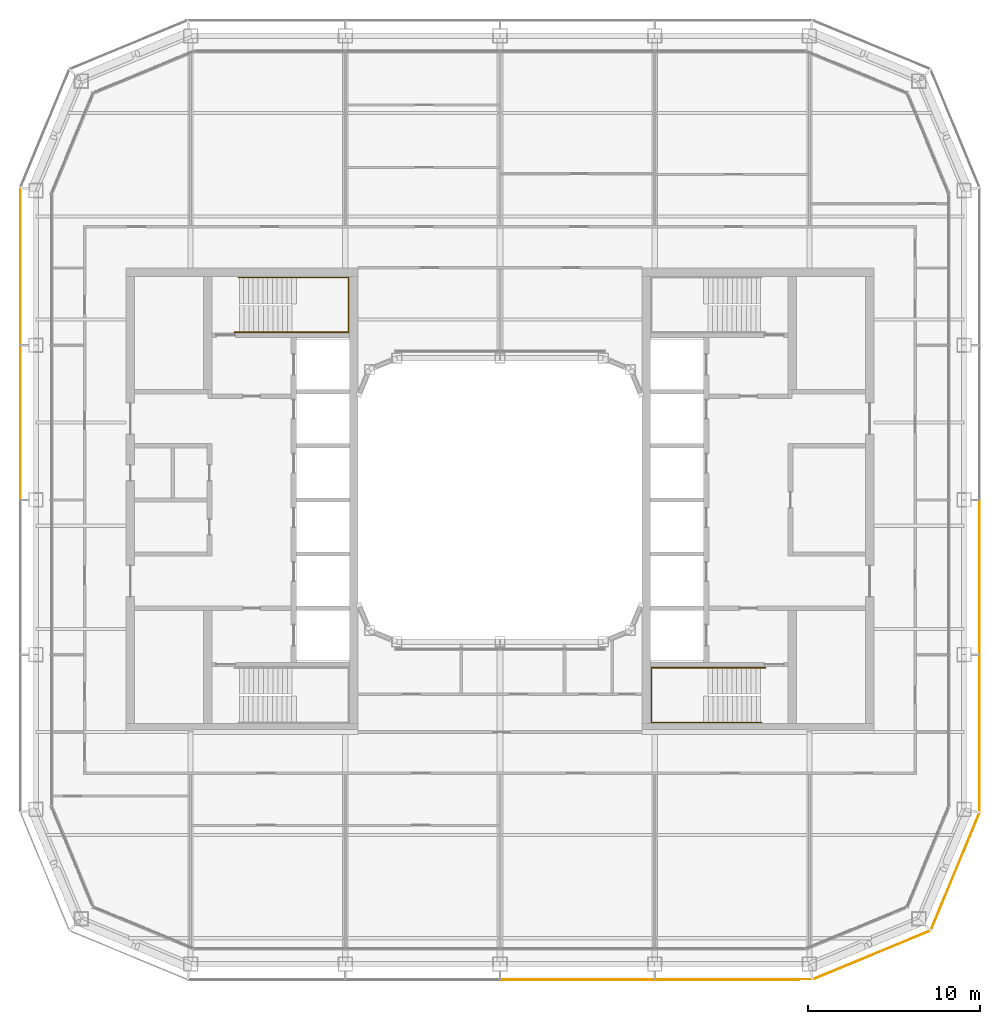
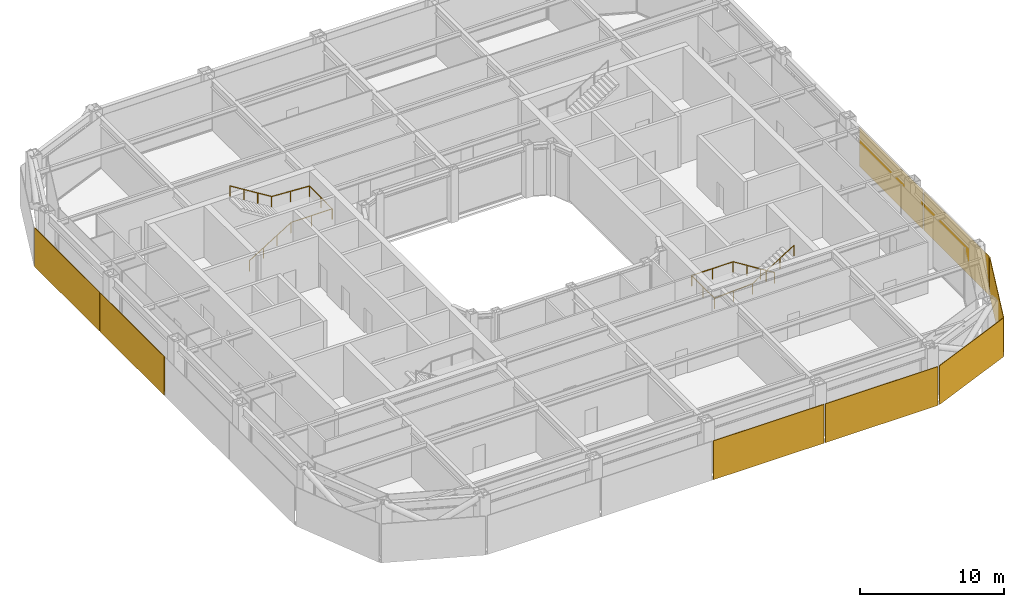
# One storey, part 17 of 19: 8 coverings, 2 railings.
"""IFC4 building model written with IfcOpenShell, lengths in metres."""

from ifc_helpers import new_model, si_unit, direction, frame, origin, origin_2d, place, context, subcontext, project, spatial, rectangle, circle, extrude, material, layer, layer_set, type_object, element, save


model = new_model("IFC4")

# Units and contexts
model_context = context("Model", 3, precision=1e-05, world=origin(), true_north=direction((0.0, 1.0)))
body_context = subcontext(model_context, "Body", "Model", "MODEL_VIEW")
ifc_project = project(units=[si_unit("LENGTHUNIT", "METRE"), si_unit("AREAUNIT", "SQUARE_METRE"), si_unit("VOLUMEUNIT", "CUBIC_METRE"), si_unit("PLANEANGLEUNIT", "RADIAN"), si_unit("MASSUNIT", "GRAM", prefix="KILO")], contexts=[model_context])

# Site, building, storey
site_placement = place(None, origin())
site = spatial("IfcSite", under=ifc_project, at=site_placement, CompositionType="ELEMENT")
building_placement = place(site_placement, origin())
building = spatial("IfcBuilding", under=site, at=building_placement, Name="Siwar Civic Tower", CompositionType="ELEMENT")
storey_placement = place(building_placement, frame((0.0, 0.0, 210.699951171875)))
storey = spatial("IfcBuildingStorey", under=building, at=storey_placement, Name="L45", CompositionType="ELEMENT", Elevation=210.699951171875)

# Railings
ifc_material_1 = material(Name="Stainless steel", Category="steel")
railing_type = type_object("IfcRailingType", Name="CORE-STAIR-HANDRAIL", PredefinedType="HANDRAIL", material=ifc_material_1)
railing_1_placement = place(storey_placement, frame((-15.449951171875, 9.758056640625, 0.173095703125)))
element("IfcRailing", 1, at=railing_1_placement, inside=storey, type_object=railing_type, Name="Stair handrail ST1", PredefinedType="HANDRAIL", context=body_context, shape_type="SweptSolid", body=[
    extrude(circle(Radius=0.02001953125, at=origin_2d()), frame((0.0, 0.0, 0.8798828125), z_axis=(0.847063342986, 0.0, 0.531491950051), x_axis=(0.0, 1.0, 0.0)), (0.0, 0.0, 1.0), 3.90771484375),
    extrude(circle(Radius=0.02001953125, at=origin_2d()), frame((3.31005859375, 0.0, 2.956787109375), z_axis=(1.0, 0.0, 0.0), x_axis=(0.0, 1.0, 0.0)), (0.0, 0.0, 1.0), 3.331787109375),
    extrude(circle(Radius=0.02001953125, at=origin_2d()), frame((6.641845703125, 0.0, 2.956787109375), z_axis=(0.0, 1.0, 0.0), x_axis=(-1.0, 0.0, 0.0)), (0.0, 0.0, 1.0), 3.183837890625),
    extrude(circle(Radius=0.02001953125, at=origin_2d()), frame((6.641845703125, 3.183837890625, 2.956787109375), z_axis=(-0.99837434197, 0.0, 0.056997134106), x_axis=(0.0, -1.0, 0.0)), (0.0, 0.0, 1.0), 3.036865234375),
    extrude(circle(Radius=0.02001953125, at=origin_2d()), frame((3.60986328125, 3.183837890625, 3.1298828125), z_axis=(-0.850606129759, 0.0, 0.525803396734), x_axis=(0.0, -1.0, 0.0)), (0.0, 0.0, 1.0), 3.949951171875),
    extrude(circle(Radius=0.02001953125, at=origin_2d()), origin(), (0.0, 0.0, 1.0), 0.85986328125),
    extrude(circle(Radius=0.02001953125, at=origin_2d()), frame((1.103271484375, 0.0, 0.6923828125)), (0.0, 0.0, 1.0), 0.85986328125),
    extrude(circle(Radius=0.02001953125, at=origin_2d()), frame((2.206787109375, 0.0, 1.384521484375)), (0.0, 0.0, 1.0), 0.85986328125),
    extrude(circle(Radius=0.02001953125, at=origin_2d()), frame((3.31005859375, 0.0, 2.076904296875)), (0.0, 0.0, 1.0), 0.85986328125),
    extrude(circle(Radius=0.02001953125, at=origin_2d()), frame((4.97607421875, 0.0, 2.076904296875)), (0.0, 0.0, 1.0), 0.85986328125),
    extrude(circle(Radius=0.02001953125, at=origin_2d()), frame((6.641845703125, 0.0, 2.076904296875)), (0.0, 0.0, 1.0), 0.85986328125),
    extrude(circle(Radius=0.02001953125, at=origin_2d()), frame((6.641845703125, 1.591796875, 2.076904296875)), (0.0, 0.0, 1.0), 0.85986328125),
    extrude(circle(Radius=0.02001953125, at=origin_2d()), frame((6.641845703125, 3.183837890625, 2.076904296875)), (0.0, 0.0, 1.0), 0.85986328125),
    extrude(circle(Radius=0.02001953125, at=origin_2d()), frame((5.1259765625, 3.183837890625, 2.16357421875)), (0.0, 0.0, 1.0), 0.85986328125),
    extrude(circle(Radius=0.02001953125, at=origin_2d()), frame((3.60986328125, 3.183837890625, 2.25)), (0.0, 0.0, 1.0), 0.85986328125),
    extrude(circle(Radius=0.02001953125, at=origin_2d()), frame((2.489990234375, 3.183837890625, 2.9423828125)), (0.0, 0.0, 1.0), 0.85986328125),
    extrude(circle(Radius=0.02001953125, at=origin_2d()), frame((1.369873046875, 3.183837890625, 3.634521484375)), (0.0, 0.0, 1.0), 0.85986328125),
    extrude(circle(Radius=0.02001953125, at=origin_2d()), frame((0.25, 3.183837890625, 4.326904296875)), (0.0, 0.0, 1.0), 0.85986328125),
])
railing_2_placement = place(storey_placement, frame((15.449951171875, -9.758056640625, 0.173095703125)))
element("IfcRailing", 2, at=railing_2_placement, inside=storey, type_object=railing_type, Name="Stair handrail ST4", PredefinedType="HANDRAIL", context=body_context, shape_type="SweptSolid", body=[
    extrude(circle(Radius=0.02001953125, at=origin_2d()), frame((0.0, 0.0, 0.8798828125), z_axis=(-0.847063342986, 0.0, 0.531491950051), x_axis=(0.0, -1.0, 0.0)), (0.0, 0.0, 1.0), 3.90771484375),
    extrude(circle(Radius=0.02001953125, at=origin_2d()), frame((-3.31005859375, 0.0, 2.956787109375), z_axis=(-1.0, 0.0, 0.0), x_axis=(0.0, -1.0, 0.0)), (0.0, 0.0, 1.0), 3.331787109375),
    extrude(circle(Radius=0.02001953125, at=origin_2d()), frame((-6.641845703125, 0.0, 2.956787109375), z_axis=(0.0, -1.0, 0.0), x_axis=(1.0, 0.0, 0.0)), (0.0, 0.0, 1.0), 3.183837890625),
    extrude(circle(Radius=0.02001953125, at=origin_2d()), frame((-6.641845703125, -3.183837890625, 2.956787109375), z_axis=(0.99837434197, 0.0, 0.056997134106), x_axis=(0.0, 1.0, 0.0)), (0.0, 0.0, 1.0), 3.036865234375),
    extrude(circle(Radius=0.02001953125, at=origin_2d()), frame((-3.60986328125, -3.183837890625, 3.1298828125), z_axis=(0.850606129759, 0.0, 0.525803396734), x_axis=(0.0, 1.0, 0.0)), (0.0, 0.0, 1.0), 3.949951171875),
    extrude(circle(Radius=0.02001953125, at=origin_2d()), origin(), (0.0, 0.0, 1.0), 0.85986328125),
    extrude(circle(Radius=0.02001953125, at=origin_2d()), frame((-1.103271484375, 0.0, 0.6923828125)), (0.0, 0.0, 1.0), 0.85986328125),
    extrude(circle(Radius=0.02001953125, at=origin_2d()), frame((-2.206787109375, 0.0, 1.384521484375)), (0.0, 0.0, 1.0), 0.85986328125),
    extrude(circle(Radius=0.02001953125, at=origin_2d()), frame((-3.31005859375, 0.0, 2.076904296875)), (0.0, 0.0, 1.0), 0.85986328125),
    extrude(circle(Radius=0.02001953125, at=origin_2d()), frame((-4.97607421875, 0.0, 2.076904296875)), (0.0, 0.0, 1.0), 0.85986328125),
    extrude(circle(Radius=0.02001953125, at=origin_2d()), frame((-6.641845703125, 0.0, 2.076904296875)), (0.0, 0.0, 1.0), 0.85986328125),
    extrude(circle(Radius=0.02001953125, at=origin_2d()), frame((-6.641845703125, -1.591796875, 2.076904296875)), (0.0, 0.0, 1.0), 0.85986328125),
    extrude(circle(Radius=0.02001953125, at=origin_2d()), frame((-6.641845703125, -3.183837890625, 2.076904296875)), (0.0, 0.0, 1.0), 0.85986328125),
    extrude(circle(Radius=0.02001953125, at=origin_2d()), frame((-5.1259765625, -3.183837890625, 2.16357421875)), (0.0, 0.0, 1.0), 0.85986328125),
    extrude(circle(Radius=0.02001953125, at=origin_2d()), frame((-3.60986328125, -3.183837890625, 2.25)), (0.0, 0.0, 1.0), 0.85986328125),
    extrude(circle(Radius=0.02001953125, at=origin_2d()), frame((-2.489990234375, -3.183837890625, 2.9423828125)), (0.0, 0.0, 1.0), 0.85986328125),
    extrude(circle(Radius=0.02001953125, at=origin_2d()), frame((-1.369873046875, -3.183837890625, 3.634521484375)), (0.0, 0.0, 1.0), 0.85986328125),
    extrude(circle(Radius=0.02001953125, at=origin_2d()), frame((-0.25, -3.183837890625, 4.326904296875)), (0.0, 0.0, 1.0), 0.85986328125),
])

# Coverings
ifc_material_2 = material(Name="Perforated aluminium cassette, pale metal", Category="aluminium")
ifc_layer_1 = layer(ifc_material_2, 0.0400390625)
ifc_layer_set_1 = layer_set([ifc_layer_1], Name="Perforated aluminium cassette, pale metal")
covering_type_1 = type_object("IfcCoveringType", Name="ENV-OUTER SKIN OS-1", PredefinedType="CLADDING", material=ifc_layer_set_1)
covering_1_placement = place(storey_placement, frame((27.89990234375, -13.57958984375, -0.14990234375), z_axis=(0.0, 0.0, 1.0), x_axis=(0.0, 1.0, 0.0)))
element("IfcCovering", 3, at=covering_1_placement, inside=storey, type_object=covering_type_1, Name="OUTER SKIN OS-1 E 1", PredefinedType="CLADDING", context=body_context, shape_type="SweptSolid", body=[
    extrude(rectangle(XDim=9.05908203125, YDim=0.0400390625, at=origin_2d()), origin(), (0.0, 0.0, 1.0), 3.300048828125),
])
covering_2_placement = place(storey_placement, frame((27.89990234375, -4.5, -0.14990234375), z_axis=(0.0, 0.0, 1.0), x_axis=(0.0, 1.0, 0.0)))
element("IfcCovering", 4, at=covering_2_placement, inside=storey, type_object=covering_type_1, Name="OUTER SKIN OS-1 E 2", PredefinedType="CLADDING", context=body_context, shape_type="SweptSolid", body=[
    extrude(rectangle(XDim=8.89990234375, YDim=0.0400390625, at=origin_2d()), origin(), (0.0, 0.0, 1.0), 3.300048828125),
])
ifc_material_3 = material(Name="Perforated aluminium cassette, pale metal", Category="aluminium")
ifc_layer_2 = layer(ifc_material_3, 0.044921875)
ifc_layer_set_2 = layer_set([ifc_layer_2], Name="Perforated aluminium cassette, pale metal")
covering_type_2 = type_object("IfcCoveringType", Name="ENV-OUTER SKIN OS-2", PredefinedType="CLADDING", material=ifc_layer_set_2)
covering_3_placement = place(storey_placement, frame((26.476318359375, -21.615966796875, -0.14990234375), z_axis=(0.0, 0.0, 1.0), x_axis=(0.382683432365, 0.923879532511, 0.0)))
element("IfcCovering", 5, at=covering_3_placement, inside=storey, type_object=covering_type_2, Name="OUTER SKIN OS-2 SE2 1", PredefinedType="CLADDING", context=body_context, shape_type="SweptSolid", body=[
    extrude(rectangle(XDim=7.300048828125, YDim=0.044921875, at=origin_2d()), origin(), (0.0, 0.0, 1.0), 3.300048828125),
])
ifc_material_4 = material(Name="Perforated aluminium cassette, pale metal", Category="aluminium")
ifc_layer_3 = layer(ifc_material_4, 0.050048828125)
ifc_layer_set_3 = layer_set([ifc_layer_3], Name="Perforated aluminium cassette, pale metal")
covering_type_3 = type_object("IfcCoveringType", Name="ENV-OUTER SKIN OS-3", PredefinedType="CLADDING", material=ifc_layer_set_3)
covering_4_placement = place(storey_placement, frame((21.615966796875, -26.476318359375, -0.14990234375), z_axis=(0.0, 0.0, 1.0), x_axis=(0.923879532511, 0.382683432365, 0.0)))
element("IfcCovering", 6, at=covering_4_placement, inside=storey, type_object=covering_type_3, Name="OUTER SKIN OS-3 SE1 1", PredefinedType="CLADDING", context=body_context, shape_type="SweptSolid", body=[
    extrude(rectangle(XDim=7.300048828125, YDim=0.050048828125, at=origin_2d()), origin(), (0.0, 0.0, 1.0), 3.300048828125),
])
covering_5_placement = place(storey_placement, frame((-27.89990234375, 13.57958984375, -0.14990234375), z_axis=(0.0, 0.0, 1.0), x_axis=(0.0, -1.0, 0.0)))
element("IfcCovering", 7, at=covering_5_placement, inside=storey, type_object=covering_type_3, Name="OUTER SKIN OS-3 W 1", PredefinedType="CLADDING", context=body_context, shape_type="SweptSolid", body=[
    extrude(rectangle(XDim=9.05908203125, YDim=0.050048828125, at=origin_2d()), origin(), (0.0, 0.0, 1.0), 3.300048828125),
])
covering_6_placement = place(storey_placement, frame((-27.89990234375, 4.5, -0.14990234375), z_axis=(0.0, 0.0, 1.0), x_axis=(0.0, -1.0, 0.0)))
element("IfcCovering", 8, at=covering_6_placement, inside=storey, type_object=covering_type_3, Name="OUTER SKIN OS-3 W 2", PredefinedType="CLADDING", context=body_context, shape_type="SweptSolid", body=[
    extrude(rectangle(XDim=8.89990234375, YDim=0.050048828125, at=origin_2d()), origin(), (0.0, 0.0, 1.0), 3.300048828125),
])
ifc_material_5 = material(Name="Perforated aluminium cassette, pale metal", Category="aluminium")
ifc_layer_4 = layer(ifc_material_5, 0.054931640625)
ifc_layer_set_4 = layer_set([ifc_layer_4], Name="Perforated aluminium cassette, pale metal")
covering_type_4 = type_object("IfcCoveringType", Name="ENV-OUTER SKIN OS-4", PredefinedType="CLADDING", material=ifc_layer_set_4)
covering_7_placement = place(storey_placement, frame((4.5, -27.89990234375, -0.14990234375), z_axis=(0.0, 0.0, 1.0), x_axis=(1.0, 0.0, 0.0)))
element("IfcCovering", 9, at=covering_7_placement, inside=storey, type_object=covering_type_4, Name="OUTER SKIN OS-4 S 3", PredefinedType="CLADDING", context=body_context, shape_type="SweptSolid", body=[
    extrude(rectangle(XDim=8.89990234375, YDim=0.054931640625, at=origin_2d()), origin(), (0.0, 0.0, 1.0), 3.300048828125),
])
covering_8_placement = place(storey_placement, frame((13.57958984375, -27.89990234375, -0.14990234375), z_axis=(0.0, 0.0, 1.0), x_axis=(1.0, 0.0, 0.0)))
element("IfcCovering", 10, at=covering_8_placement, inside=storey, type_object=covering_type_4, Name="OUTER SKIN OS-4 S 4", PredefinedType="CLADDING", context=body_context, shape_type="SweptSolid", body=[
    extrude(rectangle(XDim=9.05908203125, YDim=0.054931640625, at=origin_2d()), origin(), (0.0, 0.0, 1.0), 3.300048828125),
])

save(model, "model.ifc")
